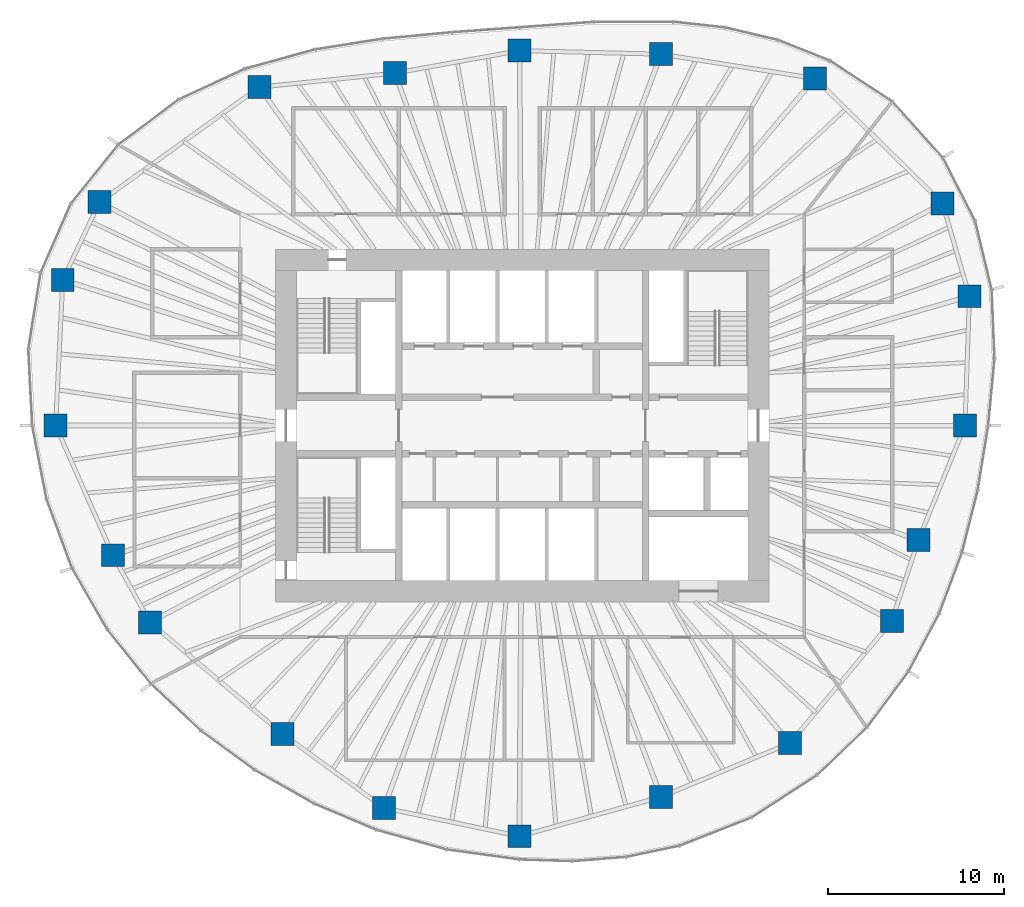
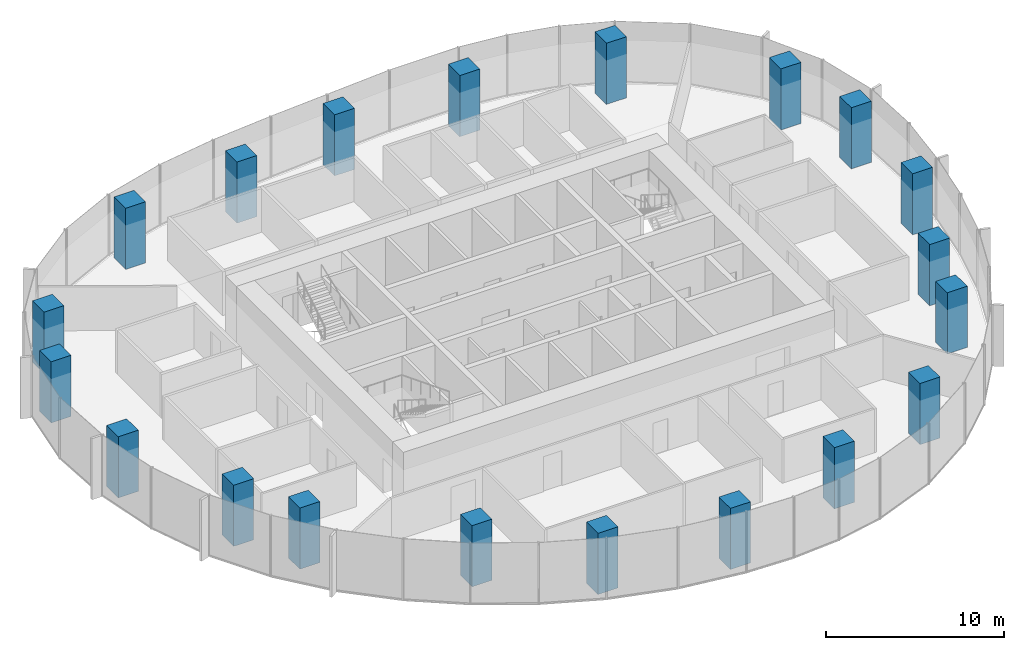
# One storey, part 1 of 11: 20 columns.
"""IFC4 building model written with IfcOpenShell, lengths in metres."""

from ifc_helpers import new_model, si_unit, direction, frame, origin, origin_2d, place, context, subcontext, project, spatial, rectangle, extrude, material, material_profile, profile_set, type_object, element, save


model = new_model("IFC4")

# Units and contexts
model_context = context("Model", 3, precision=1e-05, world=origin(), true_north=direction((0.0, 1.0)))
body_context = subcontext(model_context, "Body", "Model", "MODEL_VIEW")
ifc_project = project(units=[si_unit("LENGTHUNIT", "METRE"), si_unit("AREAUNIT", "SQUARE_METRE"), si_unit("VOLUMEUNIT", "CUBIC_METRE"), si_unit("PLANEANGLEUNIT", "RADIAN"), si_unit("MASSUNIT", "GRAM", prefix="KILO")], contexts=[model_context])

# Site, building, storey
site_placement = place(None, origin())
site = spatial("IfcSite", under=ifc_project, at=site_placement, CompositionType="ELEMENT")
building_placement = place(site_placement, origin())
building = spatial("IfcBuilding", under=site, at=building_placement, Name="Ghaith Harvest Tower", CompositionType="ELEMENT")
storey_placement = place(building_placement, frame((0.0, 0.0, 215.800048828125)))
storey = spatial("IfcBuildingStorey", under=building, at=storey_placement, Name="L47", CompositionType="ELEMENT", Elevation=215.800048828125)

# Columns
ifc_material = material(Name="Concrete C60/75", Category="concrete")
ifc_material_profile = material_profile(ifc_material, rectangle(XDim=1.300048828125, YDim=1.300048828125, at=origin_2d()), Name="RC1300X1300")
ifc_profile_set = profile_set([ifc_material_profile], Name="Concrete C60/75")
column_type = type_object("IfcColumnType", Name="TC5 RC1300X1300", PredefinedType="COLUMN", material=ifc_profile_set)
for number, where, z_axis, x_axis, name in (
    (1, (25.125, 0.0, 0.0), (0.0, 0.0, 1.0), (1.0, 0.0, 0.0), "Perimeter column C01"),
    (2, (25.3779296875, 7.3349609375, 0.0), (0.0, 0.0, 1.0), (1.0, 0.0, 0.0), "Perimeter column C02"),
    (3, (23.85205078125, 12.60693359375, 0.0), (0.0, 0.0, 1.0), (1.0, 0.0, 0.0), "Perimeter column C03"),
    (4, (16.60791015625, 19.695068359375, 0.0), (0.0, 0.0, 1.0), (1.0, 0.0, 0.0), "Perimeter column C04"),
    (5, (7.8779296875, 21.072021484375, 0.0), (0.0, 0.0, 1.0), (1.0, 0.0, 0.0), "Perimeter column C05"),
    (6, (-0.14599609375, 21.27099609375, 0.0), (0.0, 0.0, 1.0), (1.0, 0.0, 0.0), "Perimeter column C06"),
    (7, (-7.221923828125, 19.9970703125, 0.0), (0.0, 0.0, 1.0), (1.0, 0.0, 0.0), "Perimeter column C07"),
    (8, (-14.910888671875, 19.199951171875, 0.0), (0.0, 0.0, 1.0), (1.0, 0.0, 0.0), "Perimeter column C08"),
    (9, (-23.986083984375, 12.677978515625, 0.0), (0.0, 0.0, 1.0), (1.0, 0.0, 0.0), "Perimeter column C09"),
    (10, (-26.06689453125, 8.260986328125, 0.0), (0.0, 0.0, 1.0), (1.0, 0.0, 0.0), "Perimeter column C10"),
    (11, (-26.47509765625, 0.0, 0.0), (0.0, 0.0, 1.0), (1.0, 0.0, 0.0), "Perimeter column C11"),
    (12, (-23.22412109375, -7.360107421875, 0.0), (0.0, 0.0, 1.0), (1.0, 0.0, 0.0), "Perimeter column C12"),
    (13, (-21.125, -11.166015625, 0.0), (0.0, 0.0, 1.0), (1.0, 0.0, 0.0), "Perimeter column C13"),
    (14, (-13.594970703125, -17.5048828125, 0.0), (0.0, 0.0, 1.0), (1.0, 0.0, 0.0), "Perimeter column C14"),
    (15, (-7.837890625, -21.699951171875, 0.0), (0.0, 0.0, 1.0), (1.0, 0.0, 0.0), "Perimeter column C15"),
    (16, (-0.158935546875, -23.304931640625, 0.0), (0.0, 0.0, 1.0), (1.0, 0.0, 0.0), "Perimeter column C16"),
    (17, (7.8779296875, -21.072021484375, 0.0), (0.0, 0.0, 1.0), (1.0, 0.0, 0.0), "Perimeter column C17"),
    (18, (15.197998046875, -18.02294921875, 0.0), (0.0, 0.0, 1.0), (1.0, 0.0, 0.0), "Perimeter column C18"),
    (19, (20.97705078125, -11.087890625, 0.0), (0.0, 0.0, 1.0), (1.0, 0.0, 0.0), "Perimeter column C19"),
    (20, (22.485107421875, -6.4990234375, 0.0), (0.0, 0.0, 1.0), (1.0, 0.0, 0.0), "Perimeter column C20"),
):
    element("IfcColumn", number, at=place(storey_placement, frame(where, z_axis=z_axis, x_axis=x_axis)), inside=storey, type_object=column_type, Name=name, PredefinedType="COLUMN", context=body_context, shape_type="SweptSolid", body=[
        extrude(rectangle(XDim=1.300048828125, YDim=1.300048828125, at=origin_2d()), origin(), (0.0, 0.0, 1.0), 4.199951171875),
    ])

save(model, "model.ifc")
